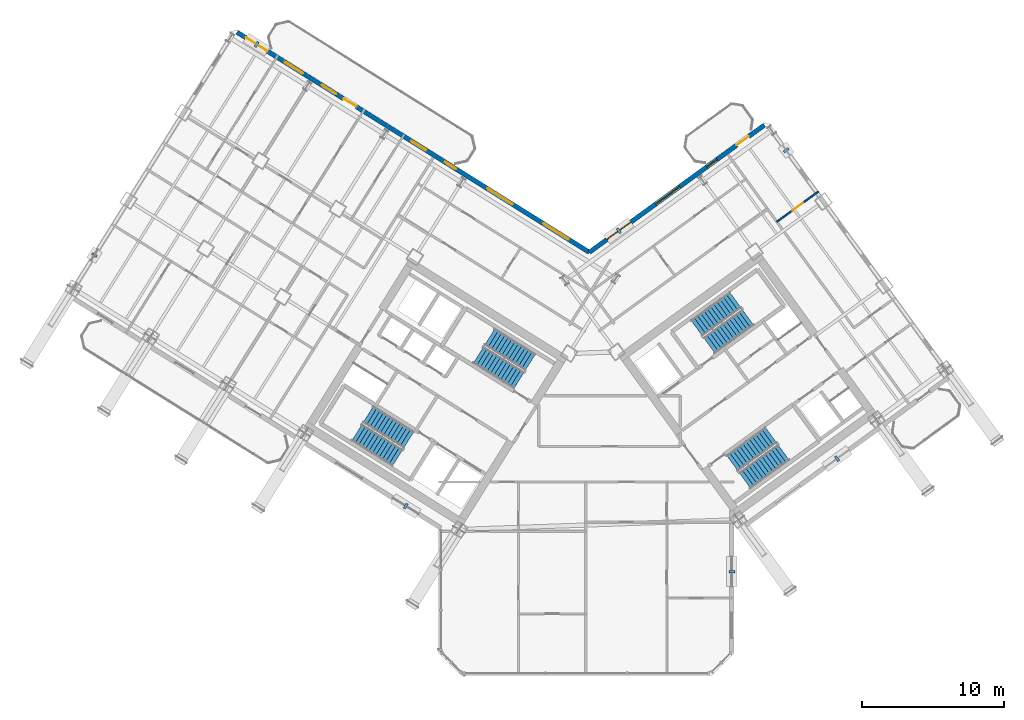
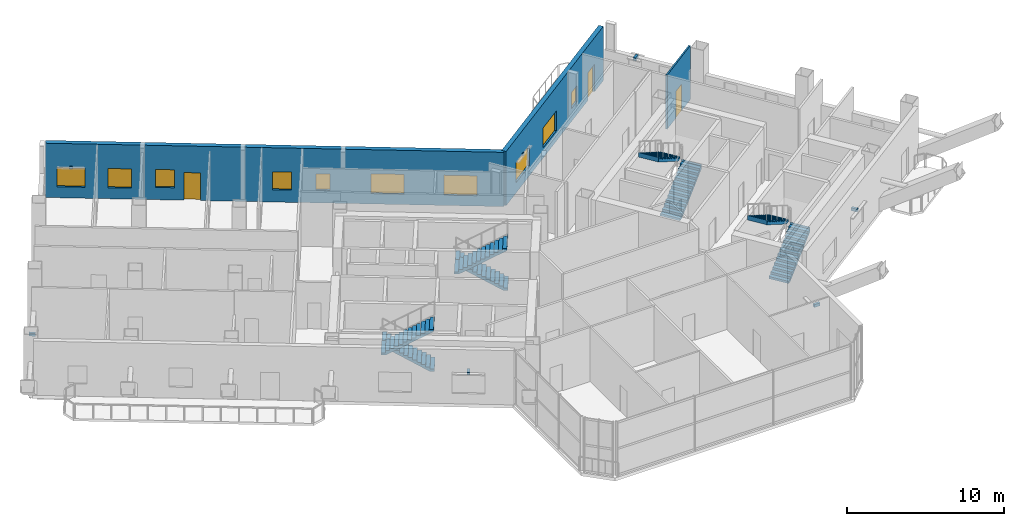
# One storey, part 26 of 32: 10 windows, 8 stair flights, 7 discrete accessories, 3 doors, 3 walls, 13 openings, 4 elements without a shape of their own.
"""IFC4 building model written with IfcOpenShell, lengths in metres."""

from ifc_helpers import new_model, si_unit, direction, frame, frame_2d, origin, origin_2d, place, context, subcontext, project, spatial, polyline, rectangle, outline, extrude, source, transform, mapped, material, layer, layer_set, type_object, element, fill, aggregate, save


model = new_model("IFC4")

# Units and contexts
model_context = context("Model", 3, precision=1e-05, world=origin(), true_north=direction((0.0, 1.0)))
body_context = subcontext(model_context, "Body", "Model", "MODEL_VIEW")
ifc_project = project(units=[si_unit("LENGTHUNIT", "METRE"), si_unit("AREAUNIT", "SQUARE_METRE"), si_unit("VOLUMEUNIT", "CUBIC_METRE"), si_unit("PLANEANGLEUNIT", "RADIAN"), si_unit("MASSUNIT", "GRAM", prefix="KILO")], contexts=[model_context])

# Site, building, storey
site_placement = place(None, origin())
site = spatial("IfcSite", under=ifc_project, at=site_placement, CompositionType="ELEMENT")
building_placement = place(site_placement, origin())
building = spatial("IfcBuilding", under=site, at=building_placement, Name="Tlacorven Tower", CompositionType="ELEMENT")
storey_placement = place(building_placement, frame((0.0, 0.0, 123.300048828125)))
storey = spatial("IfcBuildingStorey", under=building, at=storey_placement, Name="L31", CompositionType="ELEMENT", Elevation=123.300048828125)

# Wall, openings, door, windows
ifc_material_1 = material(Name="Precast concrete C45/55", Category="concrete")
ifc_layer_1 = layer(ifc_material_1, 0.320068359375)
ifc_layer_set_1 = layer_set([ifc_layer_1], Name="Precast concrete C45/55")
wall_type_1 = type_object("IfcWallType", Name="WL-EXT-320", PredefinedType="STANDARD", material=ifc_layer_set_1)
wall_1_placement = place(storey_placement, frame((17.423828125, 47.083251953125, 0.0), z_axis=(0.0, 0.0, 1.0), x_axis=(0.848049927979, -0.529916332693, 0.0)))
wall_1 = element("IfcWall", 1, at=wall_1_placement, inside=storey, type_object=wall_type_1, Name="L31 Masonry-Frame Recessed Facade Wall 3", PredefinedType="STANDARD", context=body_context, shape_type="SweptSolid", body=[
    extrude(rectangle(XDim=29.22314453125, YDim=0.320068359375, at=frame_2d((14.611572265625, 0.0))), origin(), (0.0, 0.0, 1.0), 4.219970703125),
])
opening_1_placement = place(wall_1_placement, frame((8.838623046875, 0.0, 0.0)))
opening_1 = element("IfcOpeningElement", 2, at=opening_1_placement, cuts=wall_1, Name="Opening D06", PredefinedType="OPENING", context=body_context, shape_type="SweptSolid", body=[
    extrude(rectangle(XDim=1.050048828125, YDim=2.14990234375, at=frame_2d((0.52490234375, 1.074951171875))), frame((0.0, 0.169921875, 0.0), z_axis=(0.0, -1.0, 0.0), x_axis=(1.0, 0.0, 0.0)), (0.0, 0.0, 1.0), 0.340087890625),
])
opening_2_placement = place(wall_1_placement, frame((0.719482421875, 0.0, 0.85009765625)))
opening_2 = element("IfcOpeningElement", 3, at=opening_2_placement, cuts=wall_1, Name="Opening WN01", PredefinedType="OPENING", context=body_context, shape_type="SweptSolid", body=[
    extrude(rectangle(XDim=1.800048828125, YDim=1.5, at=frame_2d((0.89990234375, 0.75))), frame((0.0, 0.169921875, 0.0), z_axis=(0.0, -1.0, 0.0), x_axis=(1.0, 0.0, 0.0)), (0.0, 0.0, 1.0), 0.340087890625),
])
opening_3_placement = place(wall_1_placement, frame((3.981201171875, 0.0, 0.85009765625)))
opening_3 = element("IfcOpeningElement", 4, at=opening_3_placement, cuts=wall_1, Name="Opening WN02", PredefinedType="OPENING", context=body_context, shape_type="SweptSolid", body=[
    extrude(rectangle(XDim=1.5, YDim=1.5, at=frame_2d((0.75, 0.75))), frame((0.0, 0.169921875, 0.0), z_axis=(0.0, -1.0, 0.0), x_axis=(1.0, 0.0, 0.0)), (0.0, 0.0, 1.0), 0.340087890625),
])
opening_4_placement = place(wall_1_placement, frame((7.021240234375, 0.0, 0.949951171875)))
opening_4 = element("IfcOpeningElement", 5, at=opening_4_placement, cuts=wall_1, Name="Opening WN03", PredefinedType="OPENING", context=body_context, shape_type="SweptSolid", body=[
    extrude(rectangle(XDim=1.199951171875, YDim=1.39990234375, at=frame_2d((0.60009765625, 0.699951171875))), frame((0.0, 0.169921875, 0.0), z_axis=(0.0, -1.0, 0.0), x_axis=(1.0, 0.0, 0.0)), (0.0, 0.0, 1.0), 0.340087890625),
])
opening_5_placement = place(wall_1_placement, frame((14.47119140625, 0.0, 0.949951171875)))
opening_5 = element("IfcOpeningElement", 6, at=opening_5_placement, cuts=wall_1, Name="Opening WN03", PredefinedType="OPENING", context=body_context, shape_type="SweptSolid", body=[
    extrude(rectangle(XDim=1.199951171875, YDim=1.39990234375, at=frame_2d((0.60009765625, 0.699951171875))), frame((0.0, 0.169921875, 0.0), z_axis=(0.0, -1.0, 0.0), x_axis=(1.0, 0.0, 0.0)), (0.0, 0.0, 1.0), 0.340087890625),
])
opening_6_placement = place(wall_1_placement, frame((17.253662109375, 0.0, 1.0)))
opening_6 = element("IfcOpeningElement", 7, at=opening_6_placement, cuts=wall_1, Name="Opening WN05", PredefinedType="OPENING", context=body_context, shape_type="SweptSolid", body=[
    extrude(rectangle(XDim=0.89990234375, YDim=1.25, at=frame_2d((0.449951171875, 0.625))), frame((0.0, 0.169921875, 0.0), z_axis=(0.0, -1.0, 0.0), x_axis=(1.0, 0.0, 0.0)), (0.0, 0.0, 1.0), 0.340087890625),
])
opening_7_placement = place(wall_1_placement, frame((20.763671875, 0.0, 0.800048828125)))
opening_7 = element("IfcOpeningElement", 8, at=opening_7_placement, cuts=wall_1, Name="Opening WN04", PredefinedType="OPENING", context=body_context, shape_type="SweptSolid", body=[
    extrude(rectangle(XDim=2.10009765625, YDim=1.550048828125, at=frame_2d((1.050048828125, 0.77490234375))), frame((0.0, 0.169921875, 0.0), z_axis=(0.0, -1.0, 0.0), x_axis=(1.0, 0.0, 0.0)), (0.0, 0.0, 1.0), 0.340087890625),
])
opening_8_placement = place(wall_1_placement, frame((25.4033203125, 0.0, 0.800048828125)))
opening_8 = element("IfcOpeningElement", 9, at=opening_8_placement, cuts=wall_1, Name="Opening WN04", PredefinedType="OPENING", context=body_context, shape_type="SweptSolid", body=[
    extrude(rectangle(XDim=2.10009765625, YDim=1.550048828125, at=frame_2d((1.050048828125, 0.77490234375))), frame((0.0, 0.169921875, 0.0), z_axis=(0.0, -1.0, 0.0), x_axis=(1.0, 0.0, 0.0)), (0.0, 0.0, 1.0), 0.340087890625),
])
ifc_material_2 = material(Name="Powder-coated aluminium and timber door", Category="wood")
door_type_1 = type_object("IfcDoorType", Name="DR-EXT-BALC-1050", OperationType="NOTDEFINED", PredefinedType="DOOR", material=ifc_material_2)
shared_shape_1 = source(origin(), body_context, "Body", "SweptSolid", [
    extrude(rectangle(XDim=1.050048828125, YDim=2.14990234375, at=frame_2d((0.52490234375, 1.074951171875))), frame((0.0, 0.02490234375, 0.0), z_axis=(0.0, -1.0, 0.0), x_axis=(1.0, 0.0, 0.0)), (0.0, 0.0, 1.0), 0.050048828125),
])
door_1_placement = place(opening_1_placement, origin())
door_1 = element("IfcDoor", 10, at=door_1_placement, inside=storey, type_object=door_type_1, Name="L31 Outdoor Access Door BAL-L31-W-IN", OperationType="SINGLE_SWING_RIGHT", OverallHeight=2.14990234375, OverallWidth=1.050048828125, PredefinedType="DOOR", context=body_context, shape_type="MappedRepresentation", body=[
    mapped(shared_shape_1, transform((0.0, 0.0, 0.0), scale=1.0)),
])
fill(opening_1, door_1)
ifc_material_3 = material(Name="Dark solar low-E double glazing in anodised aluminium frame", Category="aluminium")
window_type_1 = type_object("IfcWindowType", Name="WN-APT-2100X1750", PartitioningType="SINGLE_PANEL", PredefinedType="WINDOW", material=ifc_material_3)
shared_shape_2 = source(origin(), body_context, "Body", "SweptSolid", [
    extrude(rectangle(XDim=2.10009765625, YDim=1.550048828125, at=frame_2d((1.050048828125, 0.77490234375))), frame((0.0, 0.030029296875, 0.0), z_axis=(0.0, -1.0, 0.0), x_axis=(1.0, 0.0, 0.0)), (0.0, 0.0, 1.0), 0.06005859375),
])
window_1_placement = place(opening_7_placement, origin())
window_1 = element("IfcWindow", 11, at=window_1_placement, inside=storey, type_object=window_type_1, Name="L31 Recessed Masonry-Frame Window L31-03.6", OverallHeight=1.550048828125, OverallWidth=2.10009765625, PartitioningType="SINGLE_PANEL", PredefinedType="WINDOW", context=body_context, shape_type="MappedRepresentation", body=[
    mapped(shared_shape_2, transform((0.0, 0.0, 0.0), scale=1.0)),
])
fill(opening_7, window_1)
window_2_placement = place(opening_8_placement, origin())
window_2 = element("IfcWindow", 12, at=window_2_placement, inside=storey, type_object=window_type_1, Name="L31 Recessed Masonry-Frame Window L31-03.7", OverallHeight=1.550048828125, OverallWidth=2.10009765625, PartitioningType="SINGLE_PANEL", PredefinedType="WINDOW", context=body_context, shape_type="MappedRepresentation", body=[
    mapped(shared_shape_2, transform((0.0, 0.0, 0.0), scale=1.0)),
])
fill(opening_8, window_2)
window_type_2 = type_object("IfcWindowType", Name="WN-APT-1200X1500", PartitioningType="SINGLE_PANEL", PredefinedType="WINDOW", material=ifc_material_3)
shared_shape_3 = source(origin(), body_context, "Body", "SweptSolid", [
    extrude(rectangle(XDim=1.199951171875, YDim=1.39990234375, at=frame_2d((0.60009765625, 0.699951171875))), frame((0.0, 0.030029296875, 0.0), z_axis=(0.0, -1.0, 0.0), x_axis=(1.0, 0.0, 0.0)), (0.0, 0.0, 1.0), 0.06005859375),
])
window_3_placement = place(opening_4_placement, origin())
window_3 = element("IfcWindow", 13, at=window_3_placement, inside=storey, type_object=window_type_2, Name="L31 Recessed Masonry-Frame Window L31-03.3", OverallHeight=1.39990234375, OverallWidth=1.199951171875, PartitioningType="SINGLE_PANEL", PredefinedType="WINDOW", context=body_context, shape_type="MappedRepresentation", body=[
    mapped(shared_shape_3, transform((0.0, 0.0, 0.0), scale=1.0)),
])
fill(opening_4, window_3)
window_4_placement = place(opening_5_placement, origin())
window_4 = element("IfcWindow", 14, at=window_4_placement, inside=storey, type_object=window_type_2, Name="L31 Recessed Masonry-Frame Window L31-03.4", OverallHeight=1.39990234375, OverallWidth=1.199951171875, PartitioningType="SINGLE_PANEL", PredefinedType="WINDOW", context=body_context, shape_type="MappedRepresentation", body=[
    mapped(shared_shape_3, transform((0.0, 0.0, 0.0), scale=1.0)),
])
fill(opening_5, window_4)
window_type_3 = type_object("IfcWindowType", Name="WN-APT-1800X1650", PartitioningType="SINGLE_PANEL", PredefinedType="WINDOW", material=ifc_material_3)
shared_shape_4 = source(origin(), body_context, "Body", "SweptSolid", [
    extrude(rectangle(XDim=1.800048828125, YDim=1.5, at=frame_2d((0.89990234375, 0.75))), frame((0.0, 0.030029296875, 0.0), z_axis=(0.0, -1.0, 0.0), x_axis=(1.0, 0.0, 0.0)), (0.0, 0.0, 1.0), 0.06005859375),
])
window_5_placement = place(opening_2_placement, origin())
window_5 = element("IfcWindow", 15, at=window_5_placement, inside=storey, type_object=window_type_3, Name="L31 Recessed Masonry-Frame Window L31-03.1", OverallHeight=1.5, OverallWidth=1.800048828125, PartitioningType="SINGLE_PANEL", PredefinedType="WINDOW", context=body_context, shape_type="MappedRepresentation", body=[
    mapped(shared_shape_4, transform((0.0, 0.0, 0.0), scale=1.0)),
])
fill(opening_2, window_5)
window_type_4 = type_object("IfcWindowType", Name="WN-APT-1500X1650", PartitioningType="SINGLE_PANEL", PredefinedType="WINDOW", material=ifc_material_3)
shared_shape_5 = source(origin(), body_context, "Body", "SweptSolid", [
    extrude(rectangle(XDim=1.5, YDim=1.5, at=frame_2d((0.75, 0.75))), frame((0.0, 0.030029296875, 0.0), z_axis=(0.0, -1.0, 0.0), x_axis=(1.0, 0.0, 0.0)), (0.0, 0.0, 1.0), 0.06005859375),
])
window_6_placement = place(opening_3_placement, origin())
window_6 = element("IfcWindow", 16, at=window_6_placement, inside=storey, type_object=window_type_4, Name="L31 Recessed Masonry-Frame Window L31-03.2", OverallHeight=1.5, OverallWidth=1.5, PartitioningType="SINGLE_PANEL", PredefinedType="WINDOW", context=body_context, shape_type="MappedRepresentation", body=[
    mapped(shared_shape_5, transform((0.0, 0.0, 0.0), scale=1.0)),
])
fill(opening_3, window_6)
window_type_5 = type_object("IfcWindowType", Name="WN-APT-0900X1350", PartitioningType="SINGLE_PANEL", PredefinedType="WINDOW", material=ifc_material_3)
shared_shape_6 = source(origin(), body_context, "Body", "SweptSolid", [
    extrude(rectangle(XDim=0.89990234375, YDim=1.25, at=frame_2d((0.449951171875, 0.625))), frame((0.0, 0.030029296875, 0.0), z_axis=(0.0, -1.0, 0.0), x_axis=(1.0, 0.0, 0.0)), (0.0, 0.0, 1.0), 0.06005859375),
])
window_7_placement = place(opening_6_placement, origin())
window_7 = element("IfcWindow", 17, at=window_7_placement, inside=storey, type_object=window_type_5, Name="L31 Recessed Masonry-Frame Window L31-03.5", OverallHeight=1.25, OverallWidth=0.89990234375, PartitioningType="SINGLE_PANEL", PredefinedType="WINDOW", context=body_context, shape_type="MappedRepresentation", body=[
    mapped(shared_shape_6, transform((0.0, 0.0, 0.0), scale=1.0)),
])
fill(opening_6, window_7)

wall_2_placement = place(storey_placement, frame((42.20654296875, 31.597412109375, 0.0), z_axis=(0.0, 0.0, 1.0), x_axis=(0.809020333377, 0.587780656523, 0.0)))
wall_2 = element("IfcWall", 18, at=wall_2_placement, inside=storey, type_object=wall_type_1, Name="L31 Masonry-Frame Recessed Facade Wall 4", PredefinedType="STANDARD", context=body_context, shape_type="SweptSolid", body=[
    extrude(rectangle(XDim=15.222900390625, YDim=0.320068359375, at=frame_2d((7.611328125, 0.0))), origin(), (0.0, 0.0, 1.0), 4.219970703125),
])
opening_9_placement = place(wall_2_placement, frame((12.81982421875, 0.0, 0.0)))
opening_9 = element("IfcOpeningElement", 19, at=opening_9_placement, cuts=wall_2, Name="Opening D06", PredefinedType="OPENING", context=body_context, shape_type="SweptSolid", body=[
    extrude(rectangle(XDim=1.050048828125, YDim=2.14990234375, at=frame_2d((0.52490234375, 1.074951171875))), frame((0.0, 0.169921875, 0.0), z_axis=(0.0, -1.0, 0.0), x_axis=(1.0, 0.0, 0.0)), (0.0, 0.0, 1.0), 0.340087890625),
])
opening_10_placement = place(wall_2_placement, frame((1.52001953125, 0.0, 0.800048828125)))
opening_10 = element("IfcOpeningElement", 20, at=opening_10_placement, cuts=wall_2, Name="Opening WN04", PredefinedType="OPENING", context=body_context, shape_type="SweptSolid", body=[
    extrude(rectangle(XDim=2.10009765625, YDim=1.550048828125, at=frame_2d((1.050048828125, 0.77490234375))), frame((0.0, 0.169921875, 0.0), z_axis=(0.0, -1.0, 0.0), x_axis=(1.0, 0.0, 0.0)), (0.0, 0.0, 1.0), 0.340087890625),
])
opening_11_placement = place(wall_2_placement, frame((5.759521484375, 0.0, 0.800048828125)))
opening_11 = element("IfcOpeningElement", 21, at=opening_11_placement, cuts=wall_2, Name="Opening WN04", PredefinedType="OPENING", context=body_context, shape_type="SweptSolid", body=[
    extrude(rectangle(XDim=2.10009765625, YDim=1.550048828125, at=frame_2d((1.050048828125, 0.77490234375))), frame((0.0, 0.169921875, 0.0), z_axis=(0.0, -1.0, 0.0), x_axis=(1.0, 0.0, 0.0)), (0.0, 0.0, 1.0), 0.340087890625),
])
opening_12_placement = place(wall_2_placement, frame((10.219482421875, 0.0, 1.0)))
opening_12 = element("IfcOpeningElement", 22, at=opening_12_placement, cuts=wall_2, Name="Opening WN05", PredefinedType="OPENING", context=body_context, shape_type="SweptSolid", body=[
    extrude(rectangle(XDim=0.89990234375, YDim=1.25, at=frame_2d((0.449951171875, 0.625))), frame((0.0, 0.169921875, 0.0), z_axis=(0.0, -1.0, 0.0), x_axis=(1.0, 0.0, 0.0)), (0.0, 0.0, 1.0), 0.340087890625),
])
door_2_placement = place(opening_9_placement, origin())
door_2 = element("IfcDoor", 23, at=door_2_placement, inside=storey, type_object=door_type_1, Name="L31 Outdoor Access Door BAL-L31-E-IN", OperationType="SINGLE_SWING_RIGHT", OverallHeight=2.14990234375, OverallWidth=1.050048828125, PredefinedType="DOOR", context=body_context, shape_type="MappedRepresentation", body=[
    mapped(shared_shape_1, transform((0.0, 0.0, 0.0), scale=1.0)),
])
fill(opening_9, door_2)
window_8_placement = place(opening_10_placement, origin())
window_8 = element("IfcWindow", 24, at=window_8_placement, inside=storey, type_object=window_type_1, Name="L31 Recessed Masonry-Frame Window L31-04.1", OverallHeight=1.550048828125, OverallWidth=2.10009765625, PartitioningType="SINGLE_PANEL", PredefinedType="WINDOW", context=body_context, shape_type="MappedRepresentation", body=[
    mapped(shared_shape_2, transform((0.0, 0.0, 0.0), scale=1.0)),
])
fill(opening_10, window_8)
window_9_placement = place(opening_11_placement, origin())
window_9 = element("IfcWindow", 25, at=window_9_placement, inside=storey, type_object=window_type_1, Name="L31 Recessed Masonry-Frame Window L31-04.2", OverallHeight=1.550048828125, OverallWidth=2.10009765625, PartitioningType="SINGLE_PANEL", PredefinedType="WINDOW", context=body_context, shape_type="MappedRepresentation", body=[
    mapped(shared_shape_2, transform((0.0, 0.0, 0.0), scale=1.0)),
])
fill(opening_11, window_9)
window_10_placement = place(opening_12_placement, origin())
window_10 = element("IfcWindow", 26, at=window_10_placement, inside=storey, type_object=window_type_5, Name="L31 Recessed Masonry-Frame Window L31-04.3", OverallHeight=1.25, OverallWidth=0.89990234375, PartitioningType="SINGLE_PANEL", PredefinedType="WINDOW", context=body_context, shape_type="MappedRepresentation", body=[
    mapped(shared_shape_6, transform((0.0, 0.0, 0.0), scale=1.0)),
])
fill(opening_12, window_10)

# Wall, opening, door
ifc_material_4 = material(Name="Gypsum plasterboard partition", Category="gypsum")
ifc_layer_2 = layer(ifc_material_4, 0.110107421875)
ifc_layer_set_2 = layer_set([ifc_layer_2], Name="Gypsum plasterboard partition")
wall_type_2 = type_object("IfcWallType", Name="WL-INT-110", PredefinedType="PARTITIONING", material=ifc_layer_set_2)
wall_3_placement = place(storey_placement, frame((55.40869140625, 33.73828125, 0.0), z_axis=(0.0, 0.0, 1.0), x_axis=(0.809005039917, 0.58780170584, 0.0)))
wall_3 = element("IfcWall", 27, at=wall_3_placement, inside=storey, type_object=wall_type_2, Name="L31 partition 94", PredefinedType="PARTITIONING", context=body_context, shape_type="SweptSolid", body=[
    extrude(rectangle(XDim=3.610107421875, YDim=0.110107421875, at=frame_2d((1.80517578125, 0.0))), origin(), (0.0, 0.0, 1.0), 4.2099609375),
])
opening_13_placement = place(wall_3_placement, frame((1.344970703125, 0.0, 0.0)))
opening_13 = element("IfcOpeningElement", 28, at=opening_13_placement, cuts=wall_3, Name="Opening D12", PredefinedType="OPENING", context=body_context, shape_type="SweptSolid", body=[
    extrude(rectangle(XDim=0.919921875, YDim=2.080078125, at=frame_2d((0.4599609375, 1.0400390625))), frame((0.0, 0.06494140625, 0.0), z_axis=(0.0, -1.0, 0.0), x_axis=(1.0, 0.0, 0.0)), (0.0, 0.0, 1.0), 0.130126953125),
])
door_type_2 = type_object("IfcDoorType", Name="DR-INT-ROOM-0920", OperationType="NOTDEFINED", PredefinedType="DOOR", material=ifc_material_2)
shared_shape_7 = source(origin(), body_context, "Body", "SweptSolid", [
    extrude(rectangle(XDim=0.919921875, YDim=2.080078125, at=frame_2d((0.4599609375, 1.0400390625))), frame((0.0, 0.02490234375, 0.0), z_axis=(0.0, -1.0, 0.0), x_axis=(1.0, 0.0, 0.0)), (0.0, 0.0, 1.0), 0.050048828125),
])
door_3_placement = place(opening_13_placement, origin())
door_3 = element("IfcDoor", 29, at=door_3_placement, inside=storey, type_object=door_type_2, Name="L31 door 059", OperationType="SINGLE_SWING_LEFT", OverallHeight=2.080078125, OverallWidth=0.919921875, PredefinedType="DOOR", context=body_context, shape_type="MappedRepresentation", body=[
    mapped(shared_shape_7, transform((0.0, 0.0, 0.0), scale=1.0)),
])
fill(opening_13, door_3)

# Stair, stair flights
ifc_material_5 = material(Name="Concrete C40/50", Category="concrete")
stair_type = type_object("IfcStairType", Name="ST-CORE-DLG", PredefinedType="HALF_TURN_STAIR", material=ifc_material_5)
stair_1_placement = place(storey_placement, origin())
stair_1 = element("IfcStair", 30, at=stair_1_placement, inside=storey, type_object=stair_type, Name="L31 Protected Exit Stair West 1", PredefinedType="HALF_TURN_STAIR")
stair_flight_type = type_object("IfcStairFlightType", Name="SFL-RC-1380", PredefinedType="STRAIGHT", material=ifc_material_5)
shared_shape_8 = source(origin(), body_context, "Body", "SweptSolid", [
    extrude(outline(polyline([(-0.0029296875, -0.0029296875), (-0.0029296875, 0.173095703125), (0.280029296875, 0.173095703125), (0.280029296875, 0.34619140625), (0.56005859375, 0.34619140625), (0.56005859375, 0.519287109375), (0.840087890625, 0.519287109375), (0.840087890625, 0.6923828125), (1.1201171875, 0.6923828125), (1.1201171875, 0.865478515625), (1.39990234375, 0.865478515625), (1.39990234375, 1.03857421875), (1.679931640625, 1.03857421875), (1.679931640625, 1.21142578125), (1.9599609375, 1.21142578125), (1.9599609375, 1.384521484375), (2.239990234375, 1.384521484375), (2.239990234375, 1.5576171875), (2.52001953125, 1.5576171875), (2.52001953125, 1.730712890625), (2.800048828125, 1.730712890625), (2.800048828125, 1.90380859375), (3.080078125, 1.90380859375), (3.080078125, 2.076904296875), (3.360107421875, 2.076904296875), (3.360107421875, 2.25), (3.363037109375, 2.25), (3.363037109375, 1.888916015625), (3.360107421875, 1.888916015625), (0.30419921875, 0.0), (0.30419921875, -0.0029296875), (-0.0029296875, -0.0029296875)])), frame((0.0, 0.68994140625, 0.0), z_axis=(0.0, -1.0, 0.0), x_axis=(1.0, 0.0, 0.0)), (0.0, 0.0, 1.0), 1.3798828125),
])
stair_flight_1_placement = place(storey_placement, frame((29.499755859375, 18.39453125, 0.0), z_axis=(0.0, 0.0, 1.0), x_axis=(-0.848048096156, 0.529919264233, 0.0)))
stair_flight_1 = element("IfcStairFlight", 31, at=stair_flight_1_placement, type_object=stair_flight_type, Name="ST-W1 flight 1", NumberOfRisers=13, NumberOfTreads=12, PredefinedType="STRAIGHT", RiserHeight=0.173076923, TreadLength=0.28, context=body_context, shape_type="MappedRepresentation", body=[
    mapped(shared_shape_8, transform((0.0, 0.0, 0.0), scale=1.0)),
])
stair_flight_2_placement = place(storey_placement, frame((25.85546875, 18.903076171875, 2.25), z_axis=(0.0, 0.0, 1.0), x_axis=(0.848048096156, -0.529919264233, 0.0)))
stair_flight_2 = element("IfcStairFlight", 32, at=stair_flight_2_placement, type_object=stair_flight_type, Name="ST-W1 flight 2", NumberOfRisers=13, NumberOfTreads=12, PredefinedType="STRAIGHT", RiserHeight=0.173076923, TreadLength=0.28, context=body_context, shape_type="MappedRepresentation", body=[
    mapped(shared_shape_8, transform((0.0, 0.0, 0.0), scale=1.0)),
])
aggregate(stair_1, [stair_flight_1, stair_flight_2])

stair_2_placement = place(storey_placement, origin())
stair_2 = element("IfcStair", 33, at=stair_2_placement, inside=storey, type_object=stair_type, Name="L31 Protected Exit Stair West 2", PredefinedType="HALF_TURN_STAIR")
stair_flight_3_placement = place(storey_placement, frame((38.051513671875, 23.852294921875, 0.0), z_axis=(0.0, 0.0, 1.0), x_axis=(-0.848048096156, 0.529919264233, 0.0)))
stair_flight_3 = element("IfcStairFlight", 34, at=stair_flight_3_placement, type_object=stair_flight_type, Name="ST-W2 flight 1", NumberOfRisers=13, NumberOfTreads=12, PredefinedType="STRAIGHT", RiserHeight=0.173076923, TreadLength=0.28, context=body_context, shape_type="MappedRepresentation", body=[
    mapped(shared_shape_8, transform((0.0, 0.0, 0.0), scale=1.0)),
])
stair_flight_4_placement = place(storey_placement, frame((34.406982421875, 24.36083984375, 2.25), z_axis=(0.0, 0.0, 1.0), x_axis=(0.848048096156, -0.529919264233, 0.0)))
stair_flight_4 = element("IfcStairFlight", 35, at=stair_flight_4_placement, type_object=stair_flight_type, Name="ST-W2 flight 2", NumberOfRisers=13, NumberOfTreads=12, PredefinedType="STRAIGHT", RiserHeight=0.173076923, TreadLength=0.28, context=body_context, shape_type="MappedRepresentation", body=[
    mapped(shared_shape_8, transform((0.0, 0.0, 0.0), scale=1.0)),
])
aggregate(stair_2, [stair_flight_3, stair_flight_4])

stair_3_placement = place(storey_placement, origin())
stair_3 = element("IfcStair", 36, at=stair_3_placement, inside=storey, type_object=stair_type, Name="L31 Protected Exit Stair East 1", PredefinedType="HALF_TURN_STAIR")
stair_flight_5_placement = place(storey_placement, frame((50.6533203125, 25.0400390625, 0.0), z_axis=(0.0, 0.0, 1.0), x_axis=(0.809016994375, 0.587785252292, 0.0)))
stair_flight_5 = element("IfcStairFlight", 37, at=stair_flight_5_placement, type_object=stair_flight_type, Name="ST-E1 flight 1", NumberOfRisers=13, NumberOfTreads=12, PredefinedType="STRAIGHT", RiserHeight=0.173076923, TreadLength=0.28, context=body_context, shape_type="MappedRepresentation", body=[
    mapped(shared_shape_8, transform((0.0, 0.0, 0.0), scale=1.0)),
])
stair_flight_6_placement = place(storey_placement, frame((52.489990234375, 28.228515625, 2.25), z_axis=(0.0, 0.0, 1.0), x_axis=(-0.809016994375, -0.587785252292, 0.0)))
stair_flight_6 = element("IfcStairFlight", 38, at=stair_flight_6_placement, type_object=stair_flight_type, Name="ST-E1 flight 2", NumberOfRisers=13, NumberOfTreads=12, PredefinedType="STRAIGHT", RiserHeight=0.173076923, TreadLength=0.28, context=body_context, shape_type="MappedRepresentation", body=[
    mapped(shared_shape_8, transform((0.0, 0.0, 0.0), scale=1.0)),
])
aggregate(stair_3, [stair_flight_5, stair_flight_6])

stair_4_placement = place(storey_placement, origin())
stair_4 = element("IfcStair", 39, at=stair_4_placement, inside=storey, type_object=stair_type, Name="L31 Protected Exit Stair East 2", PredefinedType="HALF_TURN_STAIR")
stair_flight_7_placement = place(storey_placement, frame((53.157470703125, 15.536865234375, 0.0), z_axis=(0.0, 0.0, 1.0), x_axis=(0.809016994375, 0.587785252292, 0.0)))
stair_flight_7 = element("IfcStairFlight", 40, at=stair_flight_7_placement, type_object=stair_flight_type, Name="ST-E2 flight 1", NumberOfRisers=13, NumberOfTreads=12, PredefinedType="STRAIGHT", RiserHeight=0.173076923, TreadLength=0.28, context=body_context, shape_type="MappedRepresentation", body=[
    mapped(shared_shape_8, transform((0.0, 0.0, 0.0), scale=1.0)),
])
stair_flight_8_placement = place(storey_placement, frame((54.994140625, 18.725341796875, 2.25), z_axis=(0.0, 0.0, 1.0), x_axis=(-0.809016994375, -0.587785252292, 0.0)))
stair_flight_8 = element("IfcStairFlight", 41, at=stair_flight_8_placement, type_object=stair_flight_type, Name="ST-E2 flight 2", NumberOfRisers=13, NumberOfTreads=12, PredefinedType="STRAIGHT", RiserHeight=0.173076923, TreadLength=0.28, context=body_context, shape_type="MappedRepresentation", body=[
    mapped(shared_shape_8, transform((0.0, 0.0, 0.0), scale=1.0)),
])
aggregate(stair_4, [stair_flight_7, stair_flight_8])

# Discrete accessories
ifc_material_6 = material(Name="Steel S355J2", Category="steel")
discrete_accessory_type = type_object("IfcDiscreteAccessoryType", Name="ACC-BRK-01", PredefinedType="BRACKET", material=ifc_material_6)
shared_shape_9 = source(origin(), body_context, "Body", "SweptSolid", [
    extrude(rectangle(XDim=0.179931640625, YDim=0.419921875, at=origin_2d()), origin(), (0.0, 0.0, 1.0), 0.219970703125),
])
for number, where, z_axis, x_axis, name in (
    (42, (29.282958984375, 13.73095703125, 2.27978515625), (0.0, 0.0, 1.0), (-0.848048152806, 0.529919173576, 0.0), "L31 Sunshade Bracket L31-01.1"),
    (43, (7.379150390625, 31.397705078125, 2.18017578125), (0.0, 0.0, 1.0), (0.529919147866, 0.848048168871, 0.0), "L31 Sunshade Bracket L31-02.1"),
    (44, (18.797119140625, 46.22509765625, 2.27978515625), (0.0, 0.0, 1.0), (0.848048220257, -0.52991906563, 0.0), "L31 Sunshade Bracket L31-03.1"),
    (45, (44.28564453125, 33.10791015625, 2.27978515625), (0.0, 0.0, 1.0), (0.809016703631, 0.587785652468, 0.0), "L31 Sunshade Bracket L31-04.1"),
    (46, (56.062744140625, 38.77587890625, 2.18017578125), (0.0, 0.0, 1.0), (0.587785363163, -0.809016913823, 0.0), "L31 Sunshade Bracket L31-05.1"),
    (47, (59.6416015625, 17.071044921875, 2.27978515625), (0.0, 0.0, 1.0), (-0.809016829126, -0.587785479738, 0.0), "L31 Sunshade Bracket L31-06.1"),
    (48, (52.239990234375, 9.1171875, 2.27978515625), (0.0, 0.0, 1.0), (0.0, -1.0, 0.0), "L31 Sunshade Bracket L31-07.1"),
):
    element("IfcDiscreteAccessory", number, at=place(storey_placement, frame(where, z_axis=z_axis, x_axis=x_axis)), inside=storey, type_object=discrete_accessory_type, Name=name, PredefinedType="BRACKET", context=body_context, shape_type="MappedRepresentation", body=[
        mapped(shared_shape_9, transform((0.0, 0.0, 0.0), scale=1.0)),
    ])

save(model, "model.ifc")
